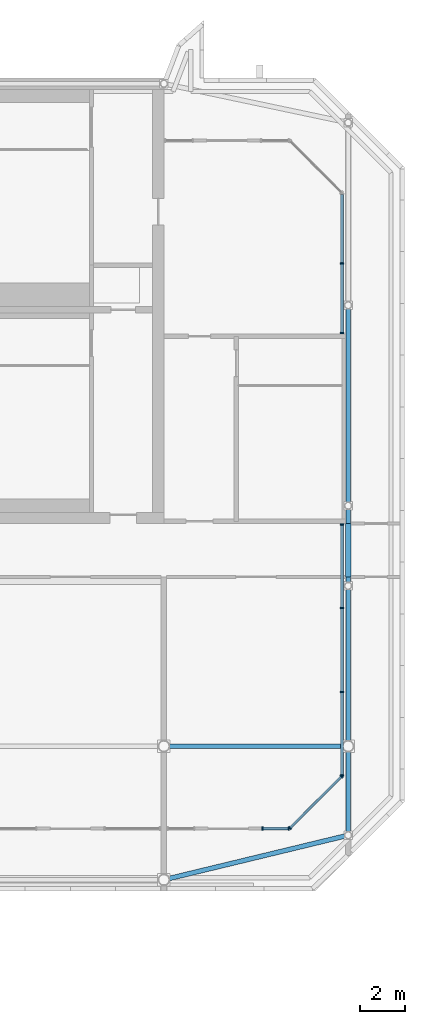
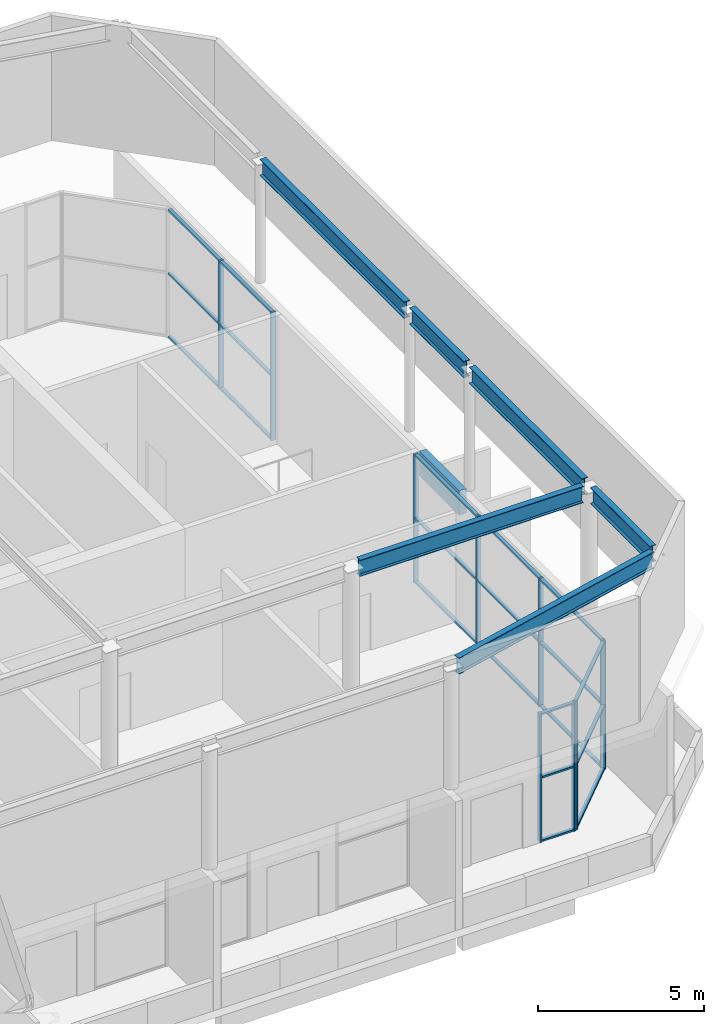
# One storey, part 14 of 25: 31 members, 7 beams, 4 elements without a shape of their own.
"""IFC4 building model written with IfcOpenShell, lengths in metres."""

from ifc_helpers import new_model, si_unit, direction, frame, origin, origin_2d, place, context, subcontext, project, spatial, rectangle, i_section, extrude, source, transform, mapped, material, material_profile, profile_set, type_object, element, aggregate, save


model = new_model("IFC4")

# Units and contexts
model_context = context("Model", 3, precision=1e-05, world=origin(), true_north=direction((0.0, 1.0)))
body_context = subcontext(model_context, "Body", "Model", "MODEL_VIEW")
ifc_project = project(units=[si_unit("LENGTHUNIT", "METRE"), si_unit("AREAUNIT", "SQUARE_METRE"), si_unit("VOLUMEUNIT", "CUBIC_METRE"), si_unit("PLANEANGLEUNIT", "RADIAN"), si_unit("MASSUNIT", "GRAM", prefix="KILO")], contexts=[model_context])

# Site, building, storey
site_placement = place(None, origin())
site = spatial("IfcSite", under=ifc_project, at=site_placement, CompositionType="ELEMENT")
building_placement = place(site_placement, origin())
building = spatial("IfcBuilding", under=site, at=building_placement, Name="Vanashikhar Sky Hotel", CompositionType="ELEMENT")
storey_placement = place(building_placement, frame((0.0, 0.0, 329.699951171875)))
storey = spatial("IfcBuildingStorey", under=building, at=storey_placement, Name="L78", CompositionType="ELEMENT", Elevation=329.699951171875)

# Beams
ifc_material_1 = material(Name="Concrete M50", Category="concrete")
ifc_material_profile_1 = material_profile(ifc_material_1, rectangle(XDim=0.25, YDim=0.89990234375, at=origin_2d()))
ifc_profile_set_1 = profile_set([ifc_material_profile_1], Name="RC 250x900 beam Concrete M50")
beam_type_1 = type_object("IfcBeamType", Name="RC 250x900 beam Concrete M50", PredefinedType="LINTEL", material=ifc_profile_set_1)
shared_shape_1 = source(origin(), body_context, "Body", "SweptSolid", [
    extrude(rectangle(XDim=0.25, YDim=0.89990234375, at=origin_2d()), origin(), (0.0, 0.0, 1.0), 2.39990234375),
])
beam_1_placement = place(storey_placement, frame((83.875, 19.60009765625, 4.27001953125), z_axis=(0.0, 1.0, 0.0), x_axis=(-1.0, 0.0, 0.0)))
element("IfcBeam", 1, at=beam_1_placement, inside=storey, type_object=beam_type_1, Name="LB-L78-XW11", PredefinedType="LINTEL", context=body_context, shape_type="MappedRepresentation", body=[
    mapped(shared_shape_1, transform((0.0, 0.0, 0.0), scale=1.0)),
])
ifc_material_2 = material(Name="Steel S355", Category="steel")
ifc_material_profile_2 = material_profile(ifc_material_2, i_section(OverallWidth=0.2099609375, OverallDepth=0.60009765625, WebThickness=0.011962890625, FlangeThickness=0.020751953125, at=origin_2d()), Name="ISMB 600")
ifc_profile_set_2 = profile_set([ifc_material_profile_2], Name="Steel S355")
beam_type_2 = type_object("IfcBeamType", Name="ISMB 600 Steel S355", PredefinedType="BEAM", material=ifc_profile_set_2)
shared_shape_2 = source(origin(), body_context, "Body", "SweptSolid", [
    extrude(i_section(OverallWidth=0.2099609375, OverallDepth=0.60009765625, WebThickness=0.011962890625, FlangeThickness=0.020751953125, at=origin_2d()), origin(), (0.0, 0.0, 1.0), 3.583984375),
])
beam_2_placement = place(storey_placement, frame((83.875, 8.162109375, 9.300048828125), z_axis=(0.0, 1.0, 0.0), x_axis=(-1.0, 0.0, 0.0)))
element("IfcBeam", 2, at=beam_2_placement, inside=storey, type_object=beam_type_2, Name="CR-L78-W201", PredefinedType="BEAM", context=body_context, shape_type="MappedRepresentation", body=[
    mapped(shared_shape_2, transform((0.0, 0.0, 0.0), scale=1.0)),
])
shared_shape_3 = source(origin(), body_context, "Body", "SweptSolid", [
    extrude(i_section(OverallWidth=0.2099609375, OverallDepth=0.60009765625, WebThickness=0.011962890625, FlangeThickness=0.020751953125, at=origin_2d()), origin(), (0.0, 0.0, 1.0), 6.7841796875),
])
beam_3_placement = place(storey_placement, frame((83.875, 12.25390625, 9.300048828125), z_axis=(0.0, 1.0, 0.0), x_axis=(-1.0, 0.0, 0.0)))
element("IfcBeam", 3, at=beam_3_placement, inside=storey, type_object=beam_type_2, Name="CR-L78-W202", PredefinedType="BEAM", context=body_context, shape_type="MappedRepresentation", body=[
    mapped(shared_shape_3, transform((0.0, 0.0, 0.0), scale=1.0)),
])
shared_shape_4 = source(origin(), body_context, "Body", "SweptSolid", [
    extrude(i_section(OverallWidth=0.2099609375, OverallDepth=0.60009765625, WebThickness=0.011962890625, FlangeThickness=0.020751953125, at=origin_2d()), origin(), (0.0, 0.0, 1.0), 3.27587890625),
])
beam_4_placement = place(storey_placement, frame((83.875, 19.362060546875, 9.300048828125), z_axis=(0.0, 1.0, 0.0), x_axis=(-1.0, 0.0, 0.0)))
element("IfcBeam", 4, at=beam_4_placement, inside=storey, type_object=beam_type_2, Name="CR-L78-W203", PredefinedType="BEAM", context=body_context, shape_type="MappedRepresentation", body=[
    mapped(shared_shape_4, transform((0.0, 0.0, 0.0), scale=1.0)),
])
shared_shape_5 = source(origin(), body_context, "Body", "SweptSolid", [
    extrude(i_section(OverallWidth=0.2099609375, OverallDepth=0.60009765625, WebThickness=0.011962890625, FlangeThickness=0.020751953125, at=origin_2d()), origin(), (0.0, 0.0, 1.0), 8.676025390625),
])
beam_5_placement = place(storey_placement, frame((83.875, 22.9619140625, 9.300048828125), z_axis=(0.0, 1.0, 0.0), x_axis=(-1.0, 0.0, 0.0)))
element("IfcBeam", 5, at=beam_5_placement, inside=storey, type_object=beam_type_2, Name="CR-L78-W204", PredefinedType="BEAM", context=body_context, shape_type="MappedRepresentation", body=[
    mapped(shared_shape_5, transform((0.0, 0.0, 0.0), scale=1.0)),
])
shared_shape_6 = source(origin(), body_context, "Body", "SweptSolid", [
    extrude(i_section(OverallWidth=0.2099609375, OverallDepth=0.60009765625, WebThickness=0.011962890625, FlangeThickness=0.020751953125, at=origin_2d()), origin(), (0.0, 0.0, 1.0), 8.09716796875),
])
beam_6_placement = place(storey_placement, frame((83.717529296875, 7.9619140625, 9.300048828125), z_axis=(-0.972017430983, -0.234908735182, 0.0), x_axis=(0.234908735182, -0.972017430983, 0.0)))
element("IfcBeam", 6, at=beam_6_placement, inside=storey, type_object=beam_type_2, Name="CR-L78-WF2", PredefinedType="BEAM", context=body_context, shape_type="MappedRepresentation", body=[
    mapped(shared_shape_6, transform((0.0, 0.0, 0.0), scale=1.0)),
])
shared_shape_7 = source(origin(), body_context, "Body", "SweptSolid", [
    extrude(i_section(OverallWidth=0.2099609375, OverallDepth=0.60009765625, WebThickness=0.011962890625, FlangeThickness=0.020751953125, at=origin_2d()), origin(), (0.0, 0.0, 1.0), 7.76708984375),
])
beam_7_placement = place(storey_placement, frame((75.85400390625, 12.0, 9.300048828125), z_axis=(1.0, 0.0, 0.0), x_axis=(0.0, 1.0, 0.0)))
element("IfcBeam", 7, at=beam_7_placement, inside=storey, type_object=beam_type_2, Name="CR-L78-X13", PredefinedType="BEAM", context=body_context, shape_type="MappedRepresentation", body=[
    mapped(shared_shape_7, transform((0.0, 0.0, 0.0), scale=1.0)),
])

# Curtain wall, members
ifc_material_3 = material(Name="Glass", Category="glass")
curtain_wall_type = type_object("IfcCurtainWallType", Name="Observation enclosure", PredefinedType="NOTDEFINED", material=ifc_material_3)
curtain_wall_1_placement = place(storey_placement, origin())
curtain_wall_1 = element("IfcCurtainWall", 8, at=curtain_wall_1_placement, inside=storey, type_object=curtain_wall_type, Name="Observation enclosure", PredefinedType="NOTDEFINED")
ifc_material_4 = material(Name="Aluminium 6063-T6", Category="aluminium")
ifc_material_profile_3 = material_profile(ifc_material_4, rectangle(XDim=0.159912109375, YDim=0.06005859375, at=origin_2d()))
ifc_profile_set_3 = profile_set([ifc_material_profile_3], Name="Aluminium 6063-T6")
member_type_1 = type_object("IfcMemberType", Name="Observation mullion 60 x 160", PredefinedType="MULLION", material=ifc_profile_set_3)
shared_shape_8 = source(origin(), body_context, "Body", "SweptSolid", [
    extrude(rectangle(XDim=0.159912109375, YDim=0.06005859375, at=origin_2d()), origin(), (0.0, 0.0, 1.0), 4.719970703125),
])
member_1_placement = place(storey_placement, frame((80.022705078125, 8.300048828125, 0.0), z_axis=(0.0, 0.0, 1.0), x_axis=(0.0, 1.0, 0.0)))
member_1 = element("IfcMember", 9, at=member_1_placement, type_object=member_type_1, Name="CW-6 mullion 1", PredefinedType="MULLION", context=body_context, shape_type="MappedRepresentation", body=[
    mapped(shared_shape_8, transform((0.0, 0.0, 0.0), scale=1.0)),
])
member_2_placement = place(storey_placement, frame((81.210205078125, 8.300048828125, 0.0), z_axis=(0.0, 0.0, 1.0), x_axis=(0.0, 1.0, 0.0)))
member_2 = element("IfcMember", 10, at=member_2_placement, type_object=member_type_1, Name="CW-6 mullion 2", PredefinedType="MULLION", context=body_context, shape_type="MappedRepresentation", body=[
    mapped(shared_shape_8, transform((0.0, 0.0, 0.0), scale=1.0)),
])

curtain_wall_2_placement = place(storey_placement, origin())
curtain_wall_2 = element("IfcCurtainWall", 11, at=curtain_wall_2_placement, inside=storey, type_object=curtain_wall_type, Name="Observation enclosure", PredefinedType="NOTDEFINED")
member_3_placement = place(storey_placement, frame((81.261474609375, 8.3212890625, 0.0), z_axis=(0.0, 0.0, 1.0), x_axis=(-0.707106781187, 0.707106781187, 0.0)))
member_3 = element("IfcMember", 12, at=member_3_placement, type_object=member_type_1, Name="CW-6 mullion 1", PredefinedType="MULLION", context=body_context, shape_type="MappedRepresentation", body=[
    mapped(shared_shape_8, transform((0.0, 0.0, 0.0), scale=1.0)),
])
member_4_placement = place(storey_placement, frame((83.578857421875, 10.638671875, 0.0), z_axis=(0.0, 0.0, 1.0), x_axis=(-0.707106781187, 0.707106781187, 0.0)))
member_4 = element("IfcMember", 13, at=member_4_placement, type_object=member_type_1, Name="CW-6 mullion 2", PredefinedType="MULLION", context=body_context, shape_type="MappedRepresentation", body=[
    mapped(shared_shape_8, transform((0.0, 0.0, 0.0), scale=1.0)),
])

curtain_wall_3_placement = place(storey_placement, origin())
curtain_wall_3 = element("IfcCurtainWall", 14, at=curtain_wall_3_placement, inside=storey, type_object=curtain_wall_type, Name="Observation enclosure", PredefinedType="NOTDEFINED")
member_5_placement = place(storey_placement, frame((83.60009765625, 10.689697265625, 0.0), z_axis=(0.0, 0.0, 1.0), x_axis=(-1.0, 0.0, 0.0)))
member_5 = element("IfcMember", 15, at=member_5_placement, type_object=member_type_1, Name="CW-6 mullion 1", PredefinedType="MULLION", context=body_context, shape_type="MappedRepresentation", body=[
    mapped(shared_shape_8, transform((0.0, 0.0, 0.0), scale=1.0)),
])
member_6_placement = place(storey_placement, frame((83.60009765625, 14.43310546875, 0.0), z_axis=(0.0, 0.0, 1.0), x_axis=(-1.0, 0.0, 0.0)))
member_6 = element("IfcMember", 16, at=member_6_placement, type_object=member_type_1, Name="CW-6 mullion 2", PredefinedType="MULLION", context=body_context, shape_type="MappedRepresentation", body=[
    mapped(shared_shape_8, transform((0.0, 0.0, 0.0), scale=1.0)),
])
member_7_placement = place(storey_placement, frame((83.60009765625, 18.20654296875, 0.0), z_axis=(0.0, 0.0, 1.0), x_axis=(-1.0, 0.0, 0.0)))
member_7 = element("IfcMember", 17, at=member_7_placement, type_object=member_type_1, Name="CW-6 mullion 3", PredefinedType="MULLION", context=body_context, shape_type="MappedRepresentation", body=[
    mapped(shared_shape_8, transform((0.0, 0.0, 0.0), scale=1.0)),
])
member_8_placement = place(storey_placement, frame((83.60009765625, 21.949951171875, 0.0), z_axis=(0.0, 0.0, 1.0), x_axis=(-1.0, 0.0, 0.0)))
member_8 = element("IfcMember", 18, at=member_8_placement, type_object=member_type_1, Name="CW-6 mullion 4", PredefinedType="MULLION", context=body_context, shape_type="MappedRepresentation", body=[
    mapped(shared_shape_8, transform((0.0, 0.0, 0.0), scale=1.0)),
])

curtain_wall_4_placement = place(storey_placement, origin())
curtain_wall_4 = element("IfcCurtainWall", 19, at=curtain_wall_4_placement, inside=storey, type_object=curtain_wall_type, Name="Observation enclosure", PredefinedType="NOTDEFINED")
member_9_placement = place(storey_placement, frame((83.60009765625, 30.550048828125, 0.0), z_axis=(0.0, 0.0, 1.0), x_axis=(-1.0, 0.0, 0.0)))
member_9 = element("IfcMember", 20, at=member_9_placement, type_object=member_type_1, Name="CW-6 mullion 1", PredefinedType="MULLION", context=body_context, shape_type="MappedRepresentation", body=[
    mapped(shared_shape_8, transform((0.0, 0.0, 0.0), scale=1.0)),
])
member_10_placement = place(storey_placement, frame((83.60009765625, 33.68017578125, 0.0), z_axis=(0.0, 0.0, 1.0), x_axis=(-1.0, 0.0, 0.0)))
member_10 = element("IfcMember", 21, at=member_10_placement, type_object=member_type_1, Name="CW-6 mullion 2", PredefinedType="MULLION", context=body_context, shape_type="MappedRepresentation", body=[
    mapped(shared_shape_8, transform((0.0, 0.0, 0.0), scale=1.0)),
])

# Member
ifc_material_profile_4 = material_profile(ifc_material_4, rectangle(XDim=0.1201171875, YDim=0.06005859375, at=origin_2d()))
ifc_profile_set_4 = profile_set([ifc_material_profile_4], Name="Aluminium 6063-T6")
member_type_2 = type_object("IfcMemberType", Name="Observation transom 60 x 120", PredefinedType="USERDEFINED", material=ifc_profile_set_4)
shared_shape_9 = source(origin(), body_context, "Body", "SweptSolid", [
    extrude(rectangle(XDim=0.1201171875, YDim=0.06005859375, at=origin_2d()), origin(), (0.0, 0.0, 1.0), 3.21728515625),
])
member_11_placement = place(storey_placement, frame((81.28271484375, 8.342529296875, 0.030029296875), z_axis=(0.707106781187, 0.707106781187, 0.0), x_axis=(-0.707106781187, 0.707106781187, 0.0)))
member_11 = element("IfcMember", 22, at=member_11_placement, type_object=member_type_2, Name="CW-6 transom 1.1", ObjectType="TRANSOM", PredefinedType="USERDEFINED", context=body_context, shape_type="MappedRepresentation", body=[
    mapped(shared_shape_9, transform((0.0, 0.0, 0.0), scale=1.0)),
])

member_12_placement = place(storey_placement, frame((81.28271484375, 8.342529296875, 2.360107421875), z_axis=(0.707106781187, 0.707106781187, 0.0), x_axis=(-0.707106781187, 0.707106781187, 0.0)))
member_12 = element("IfcMember", 23, at=member_12_placement, type_object=member_type_2, Name="CW-6 transom 1.2", ObjectType="TRANSOM", PredefinedType="USERDEFINED", context=body_context, shape_type="MappedRepresentation", body=[
    mapped(shared_shape_9, transform((0.0, 0.0, 0.0), scale=1.0)),
])

member_13_placement = place(storey_placement, frame((81.28271484375, 8.342529296875, 4.68994140625), z_axis=(0.707106781187, 0.707106781187, 0.0), x_axis=(-0.707106781187, 0.707106781187, 0.0)))
member_13 = element("IfcMember", 24, at=member_13_placement, type_object=member_type_2, Name="CW-6 transom 1.3", ObjectType="TRANSOM", PredefinedType="USERDEFINED", context=body_context, shape_type="MappedRepresentation", body=[
    mapped(shared_shape_9, transform((0.0, 0.0, 0.0), scale=1.0)),
])

aggregate(curtain_wall_2, [member_3, member_4, member_11, member_12, member_13])

shared_shape_10 = source(origin(), body_context, "Body", "SweptSolid", [
    extrude(rectangle(XDim=0.1201171875, YDim=0.06005859375, at=origin_2d()), origin(), (0.0, 0.0, 1.0), 3.683349609375),
])
member_14_placement = place(storey_placement, frame((83.60009765625, 18.236572265625, 0.030029296875), z_axis=(0.0, 1.0, 0.0), x_axis=(-1.0, 0.0, 0.0)))
member_14 = element("IfcMember", 25, at=member_14_placement, type_object=member_type_2, Name="CW-6 transom 3.1", ObjectType="TRANSOM", PredefinedType="USERDEFINED", context=body_context, shape_type="MappedRepresentation", body=[
    mapped(shared_shape_10, transform((0.0, 0.0, 0.0), scale=1.0)),
])

member_15_placement = place(storey_placement, frame((83.60009765625, 18.236572265625, 2.360107421875), z_axis=(0.0, 1.0, 0.0), x_axis=(-1.0, 0.0, 0.0)))
member_15 = element("IfcMember", 26, at=member_15_placement, type_object=member_type_2, Name="CW-6 transom 3.2", ObjectType="TRANSOM", PredefinedType="USERDEFINED", context=body_context, shape_type="MappedRepresentation", body=[
    mapped(shared_shape_10, transform((0.0, 0.0, 0.0), scale=1.0)),
])

member_16_placement = place(storey_placement, frame((83.60009765625, 18.236572265625, 4.68994140625), z_axis=(0.0, 1.0, 0.0), x_axis=(-1.0, 0.0, 0.0)))
member_16 = element("IfcMember", 27, at=member_16_placement, type_object=member_type_2, Name="CW-6 transom 3.3", ObjectType="TRANSOM", PredefinedType="USERDEFINED", context=body_context, shape_type="MappedRepresentation", body=[
    mapped(shared_shape_10, transform((0.0, 0.0, 0.0), scale=1.0)),
])

shared_shape_11 = source(origin(), body_context, "Body", "SweptSolid", [
    extrude(rectangle(XDim=0.1201171875, YDim=0.06005859375, at=origin_2d()), origin(), (0.0, 0.0, 1.0), 3.71337890625),
])
member_17_placement = place(storey_placement, frame((83.60009765625, 14.463134765625, 0.030029296875), z_axis=(0.0, 1.0, 0.0), x_axis=(-1.0, 0.0, 0.0)))
member_17 = element("IfcMember", 28, at=member_17_placement, type_object=member_type_2, Name="CW-6 transom 2.1", ObjectType="TRANSOM", PredefinedType="USERDEFINED", context=body_context, shape_type="MappedRepresentation", body=[
    mapped(shared_shape_11, transform((0.0, 0.0, 0.0), scale=1.0)),
])

member_18_placement = place(storey_placement, frame((83.60009765625, 14.463134765625, 2.360107421875), z_axis=(0.0, 1.0, 0.0), x_axis=(-1.0, 0.0, 0.0)))
member_18 = element("IfcMember", 29, at=member_18_placement, type_object=member_type_2, Name="CW-6 transom 2.2", ObjectType="TRANSOM", PredefinedType="USERDEFINED", context=body_context, shape_type="MappedRepresentation", body=[
    mapped(shared_shape_11, transform((0.0, 0.0, 0.0), scale=1.0)),
])

member_19_placement = place(storey_placement, frame((83.60009765625, 14.463134765625, 4.68994140625), z_axis=(0.0, 1.0, 0.0), x_axis=(-1.0, 0.0, 0.0)))
member_19 = element("IfcMember", 30, at=member_19_placement, type_object=member_type_2, Name="CW-6 transom 2.3", ObjectType="TRANSOM", PredefinedType="USERDEFINED", context=body_context, shape_type="MappedRepresentation", body=[
    mapped(shared_shape_11, transform((0.0, 0.0, 0.0), scale=1.0)),
])

shared_shape_12 = source(origin(), body_context, "Body", "SweptSolid", [
    extrude(rectangle(XDim=0.1201171875, YDim=0.06005859375, at=origin_2d()), origin(), (0.0, 0.0, 1.0), 3.68359375),
])
member_20_placement = place(storey_placement, frame((83.60009765625, 10.7197265625, 0.030029296875), z_axis=(0.0, 1.0, 0.0), x_axis=(-1.0, 0.0, 0.0)))
member_20 = element("IfcMember", 31, at=member_20_placement, type_object=member_type_2, Name="CW-6 transom 1.1", ObjectType="TRANSOM", PredefinedType="USERDEFINED", context=body_context, shape_type="MappedRepresentation", body=[
    mapped(shared_shape_12, transform((0.0, 0.0, 0.0), scale=1.0)),
])

member_21_placement = place(storey_placement, frame((83.60009765625, 10.7197265625, 2.360107421875), z_axis=(0.0, 1.0, 0.0), x_axis=(-1.0, 0.0, 0.0)))
member_21 = element("IfcMember", 32, at=member_21_placement, type_object=member_type_2, Name="CW-6 transom 1.2", ObjectType="TRANSOM", PredefinedType="USERDEFINED", context=body_context, shape_type="MappedRepresentation", body=[
    mapped(shared_shape_12, transform((0.0, 0.0, 0.0), scale=1.0)),
])

member_22_placement = place(storey_placement, frame((83.60009765625, 10.7197265625, 4.68994140625), z_axis=(0.0, 1.0, 0.0), x_axis=(-1.0, 0.0, 0.0)))
member_22 = element("IfcMember", 33, at=member_22_placement, type_object=member_type_2, Name="CW-6 transom 1.3", ObjectType="TRANSOM", PredefinedType="USERDEFINED", context=body_context, shape_type="MappedRepresentation", body=[
    mapped(shared_shape_12, transform((0.0, 0.0, 0.0), scale=1.0)),
])

aggregate(curtain_wall_3, [member_5, member_6, member_7, member_8, member_20, member_21, member_22, member_17, member_18, member_19, member_14, member_15, member_16])

shared_shape_13 = source(origin(), body_context, "Body", "SweptSolid", [
    extrude(rectangle(XDim=0.1201171875, YDim=0.06005859375, at=origin_2d()), origin(), (0.0, 0.0, 1.0), 3.070068359375),
])
member_23_placement = place(storey_placement, frame((83.60009765625, 30.580078125, 0.030029296875), z_axis=(0.0, 1.0, 0.0), x_axis=(-1.0, 0.0, 0.0)))
member_23 = element("IfcMember", 34, at=member_23_placement, type_object=member_type_2, Name="CW-6 transom 1.1", ObjectType="TRANSOM", PredefinedType="USERDEFINED", context=body_context, shape_type="MappedRepresentation", body=[
    mapped(shared_shape_13, transform((0.0, 0.0, 0.0), scale=1.0)),
])

member_24_placement = place(storey_placement, frame((83.60009765625, 30.580078125, 2.360107421875), z_axis=(0.0, 1.0, 0.0), x_axis=(-1.0, 0.0, 0.0)))
member_24 = element("IfcMember", 35, at=member_24_placement, type_object=member_type_2, Name="CW-6 transom 1.2", ObjectType="TRANSOM", PredefinedType="USERDEFINED", context=body_context, shape_type="MappedRepresentation", body=[
    mapped(shared_shape_13, transform((0.0, 0.0, 0.0), scale=1.0)),
])

member_25_placement = place(storey_placement, frame((83.60009765625, 30.580078125, 4.68994140625), z_axis=(0.0, 1.0, 0.0), x_axis=(-1.0, 0.0, 0.0)))
member_25 = element("IfcMember", 36, at=member_25_placement, type_object=member_type_2, Name="CW-6 transom 1.3", ObjectType="TRANSOM", PredefinedType="USERDEFINED", context=body_context, shape_type="MappedRepresentation", body=[
    mapped(shared_shape_13, transform((0.0, 0.0, 0.0), scale=1.0)),
])

member_26_placement = place(storey_placement, frame((83.60009765625, 33.710205078125, 0.030029296875), z_axis=(0.0, 1.0, 0.0), x_axis=(-1.0, 0.0, 0.0)))
member_26 = element("IfcMember", 37, at=member_26_placement, type_object=member_type_2, Name="CW-6 transom 2.1", ObjectType="TRANSOM", PredefinedType="USERDEFINED", context=body_context, shape_type="MappedRepresentation", body=[
    mapped(shared_shape_13, transform((0.0, 0.0, 0.0), scale=1.0)),
])

member_27_placement = place(storey_placement, frame((83.60009765625, 33.710205078125, 2.360107421875), z_axis=(0.0, 1.0, 0.0), x_axis=(-1.0, 0.0, 0.0)))
member_27 = element("IfcMember", 38, at=member_27_placement, type_object=member_type_2, Name="CW-6 transom 2.2", ObjectType="TRANSOM", PredefinedType="USERDEFINED", context=body_context, shape_type="MappedRepresentation", body=[
    mapped(shared_shape_13, transform((0.0, 0.0, 0.0), scale=1.0)),
])

member_28_placement = place(storey_placement, frame((83.60009765625, 33.710205078125, 4.68994140625), z_axis=(0.0, 1.0, 0.0), x_axis=(-1.0, 0.0, 0.0)))
member_28 = element("IfcMember", 39, at=member_28_placement, type_object=member_type_2, Name="CW-6 transom 2.3", ObjectType="TRANSOM", PredefinedType="USERDEFINED", context=body_context, shape_type="MappedRepresentation", body=[
    mapped(shared_shape_13, transform((0.0, 0.0, 0.0), scale=1.0)),
])

aggregate(curtain_wall_4, [member_9, member_10, member_23, member_24, member_25, member_26, member_27, member_28])

shared_shape_14 = source(origin(), body_context, "Body", "SweptSolid", [
    extrude(rectangle(XDim=0.1201171875, YDim=0.06005859375, at=origin_2d()), origin(), (0.0, 0.0, 1.0), 1.127685546875),
])
member_29_placement = place(storey_placement, frame((80.052490234375, 8.300048828125, 0.030029296875), z_axis=(1.0, 0.0, 0.0), x_axis=(0.0, 1.0, 0.0)))
member_29 = element("IfcMember", 40, at=member_29_placement, type_object=member_type_2, Name="CW-6 transom 1.1", ObjectType="TRANSOM", PredefinedType="USERDEFINED", context=body_context, shape_type="MappedRepresentation", body=[
    mapped(shared_shape_14, transform((0.0, 0.0, 0.0), scale=1.0)),
])

member_30_placement = place(storey_placement, frame((80.052490234375, 8.300048828125, 2.360107421875), z_axis=(1.0, 0.0, 0.0), x_axis=(0.0, 1.0, 0.0)))
member_30 = element("IfcMember", 41, at=member_30_placement, type_object=member_type_2, Name="CW-6 transom 1.2", ObjectType="TRANSOM", PredefinedType="USERDEFINED", context=body_context, shape_type="MappedRepresentation", body=[
    mapped(shared_shape_14, transform((0.0, 0.0, 0.0), scale=1.0)),
])

member_31_placement = place(storey_placement, frame((80.052490234375, 8.300048828125, 4.68994140625), z_axis=(1.0, 0.0, 0.0), x_axis=(0.0, 1.0, 0.0)))
member_31 = element("IfcMember", 42, at=member_31_placement, type_object=member_type_2, Name="CW-6 transom 1.3", ObjectType="TRANSOM", PredefinedType="USERDEFINED", context=body_context, shape_type="MappedRepresentation", body=[
    mapped(shared_shape_14, transform((0.0, 0.0, 0.0), scale=1.0)),
])

aggregate(curtain_wall_1, [member_1, member_2, member_29, member_30, member_31])

save(model, "model.ifc")
